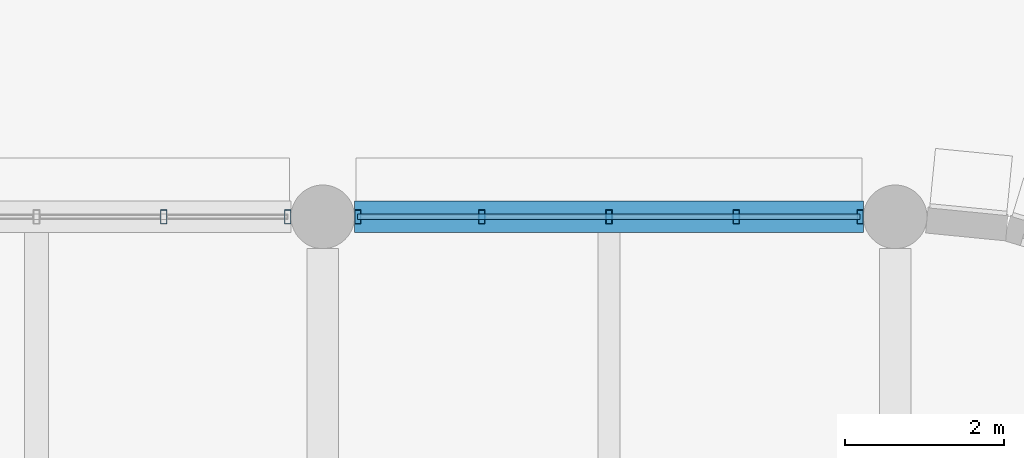
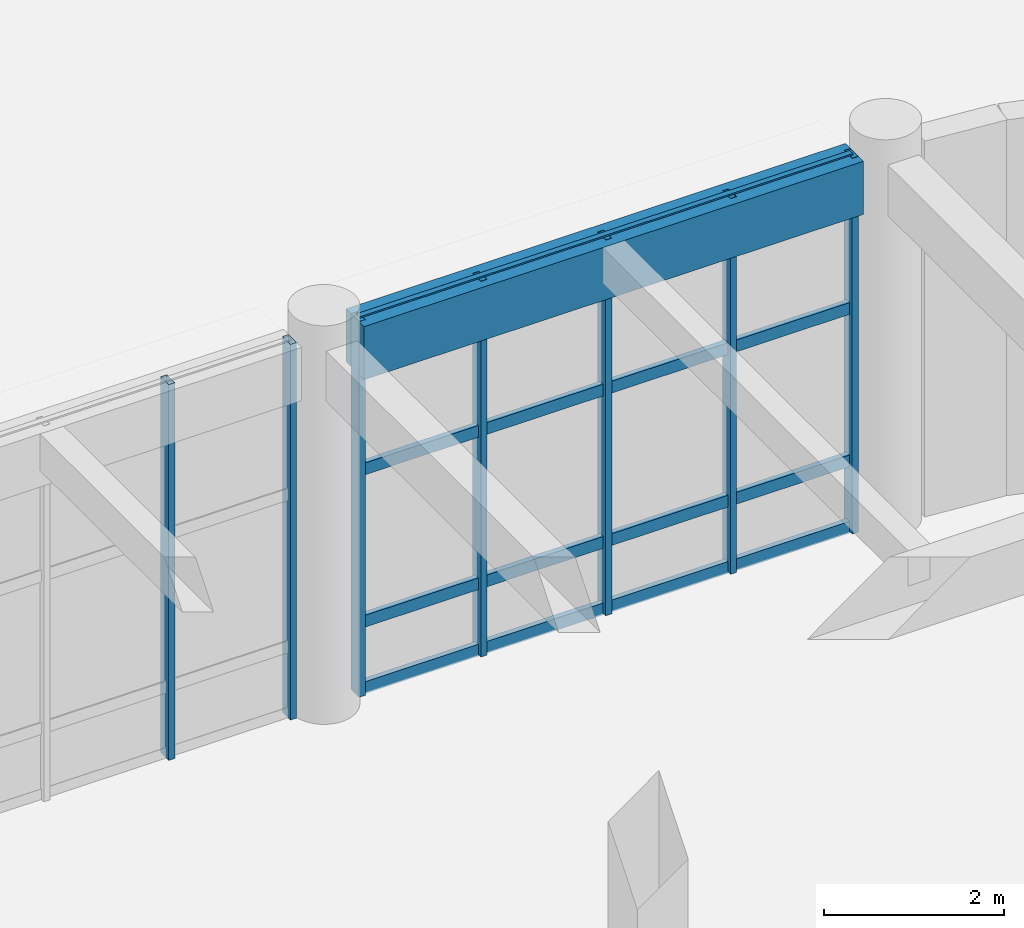
# One storey, part 72 of 160: 11 members, 1 beam, 2 elements without a shape of their own.
"""IFC4 building model written with IfcOpenShell, lengths in metres."""

from ifc_helpers import new_model, si_unit, direction, frame, origin, origin_2d, place, context, subcontext, project, spatial, rectangle, hollow_rectangle, extrude, material, material_profile, profile_set, type_object, element, aggregate, save


model = new_model("IFC4")

# Units and contexts
model_context = context("Model", 3, precision=1e-05, world=origin(), true_north=direction((0.0, 1.0)))
body_context = subcontext(model_context, "Body", "Model", "MODEL_VIEW")
ifc_project = project(units=[si_unit("LENGTHUNIT", "METRE"), si_unit("AREAUNIT", "SQUARE_METRE"), si_unit("VOLUMEUNIT", "CUBIC_METRE"), si_unit("PLANEANGLEUNIT", "RADIAN"), si_unit("MASSUNIT", "GRAM", prefix="KILO")], contexts=[model_context])

# Site, building, storey
site_placement = place(None, origin())
site = spatial("IfcSite", under=ifc_project, at=site_placement, CompositionType="ELEMENT")
building_placement = place(site_placement, origin())
building = spatial("IfcBuilding", under=site, at=building_placement, Name="Thalmaran Polytechnic", CompositionType="ELEMENT")
storey_placement = place(building_placement, origin())
storey = spatial("IfcBuildingStorey", under=building, at=storey_placement, Name="L00", CompositionType="ELEMENT", Elevation=0.0)

# Beam
ifc_material_1 = material(Name="Concrete C40/50", Category="concrete")
ifc_material_profile_1 = material_profile(ifc_material_1, rectangle(XDim=0.39990234375, YDim=0.719970703125, at=origin_2d()), Name="RC 400x720")
ifc_profile_set_1 = profile_set([ifc_material_profile_1], Name="Concrete C40/50")
beam_type = type_object("IfcBeamType", Name="BM-SP01", PredefinedType="SPANDREL", material=ifc_profile_set_1)
beam_placement = place(storey_placement, frame((79.60009765625, 72.0, 4.72998046875), z_axis=(1.0, 0.0, 0.0), x_axis=(0.0, 1.0, 0.0)))
element("IfcBeam", 1, at=beam_placement, inside=storey, type_object=beam_type, Name="Grid Beam SP01 L00 X(11,10)", PredefinedType="SPANDREL", context=body_context, shape_type="SweptSolid", body=[
    extrude(rectangle(XDim=0.39990234375, YDim=0.719970703125, at=origin_2d()), origin(), (0.0, 0.0, 1.0), 6.39990234375),
])

# Curtain wall, members
ifc_material_2 = material(Name="Aluminium 6063-T6", Category="aluminium")
curtain_wall_type = type_object("IfcCurtainWallType", Name="CW-SC01", PredefinedType="USERDEFINED", material=ifc_material_2)
curtain_wall_1_placement = place(storey_placement, origin())
curtain_wall_1 = element("IfcCurtainWall", 2, at=curtain_wall_1_placement, inside=storey, type_object=curtain_wall_type, Name="Curtain Wall CW-L00-033", ObjectType="STICK CURTAIN WALL", PredefinedType="USERDEFINED")
ifc_material_profile_2 = material_profile(ifc_material_2, hollow_rectangle(XDim=0.080078125, YDim=0.179931640625, WallThickness=0.0048828125, at=origin_2d()), Name="RHS 180x80x5.0")
ifc_profile_set_2 = profile_set([ifc_material_profile_2], Name="Aluminium 6063-T6")
member_type_1 = type_object("IfcMemberType", Name="CW-MUL1", PredefinedType="MULLION", material=ifc_profile_set_2)
member_1_placement = place(storey_placement, frame((77.199951171875, 72.0, 0.0), z_axis=(0.0, 0.0, 1.0), x_axis=(1.0, 0.0, 0.0)))
member_1 = element("IfcMember", 3, at=member_1_placement, type_object=member_type_1, Name="CW-L00-033 Mullion 4", PredefinedType="MULLION", context=body_context, shape_type="SweptSolid", body=[
    extrude(hollow_rectangle(XDim=0.080078125, YDim=0.179931640625, WallThickness=0.0048828125, at=origin_2d()), origin(), (0.0, 0.0, 1.0), 5.090087890625),
])
member_2_placement = place(storey_placement, frame((78.760009765625, 72.0, 0.0), z_axis=(0.0, 0.0, 1.0), x_axis=(1.0, 0.0, 0.0)))
member_2 = element("IfcMember", 4, at=member_2_placement, type_object=member_type_1, Name="CW-L00-033 Mullion 5", PredefinedType="MULLION", context=body_context, shape_type="SweptSolid", body=[
    extrude(hollow_rectangle(XDim=0.080078125, YDim=0.179931640625, WallThickness=0.0048828125, at=origin_2d()), origin(), (0.0, 0.0, 1.0), 5.090087890625),
])
aggregate(curtain_wall_1, [member_1, member_2])

curtain_wall_2_placement = place(storey_placement, origin())
curtain_wall_2 = element("IfcCurtainWall", 5, at=curtain_wall_2_placement, inside=storey, type_object=curtain_wall_type, Name="Curtain Wall CW-L00-034", ObjectType="STICK CURTAIN WALL", PredefinedType="USERDEFINED")
member_3_placement = place(storey_placement, frame((79.639892578125, 72.0, 0.0), z_axis=(0.0, 0.0, 1.0), x_axis=(1.0, 0.0, 0.0)))
member_3 = element("IfcMember", 6, at=member_3_placement, type_object=member_type_1, Name="CW-L00-034 Mullion 1", PredefinedType="MULLION", context=body_context, shape_type="SweptSolid", body=[
    extrude(hollow_rectangle(XDim=0.080078125, YDim=0.179931640625, WallThickness=0.0048828125, at=origin_2d()), origin(), (0.0, 0.0, 1.0), 5.090087890625),
])
member_4_placement = place(storey_placement, frame((81.199951171875, 72.0, 0.0), z_axis=(0.0, 0.0, 1.0), x_axis=(1.0, 0.0, 0.0)))
member_4 = element("IfcMember", 7, at=member_4_placement, type_object=member_type_1, Name="CW-L00-034 Mullion 2", PredefinedType="MULLION", context=body_context, shape_type="SweptSolid", body=[
    extrude(hollow_rectangle(XDim=0.080078125, YDim=0.179931640625, WallThickness=0.0048828125, at=origin_2d()), origin(), (0.0, 0.0, 1.0), 5.090087890625),
])
member_5_placement = place(storey_placement, frame((82.800048828125, 72.0, 0.0), z_axis=(0.0, 0.0, 1.0), x_axis=(1.0, 0.0, 0.0)))
member_5 = element("IfcMember", 8, at=member_5_placement, type_object=member_type_1, Name="CW-L00-034 Mullion 3", PredefinedType="MULLION", context=body_context, shape_type="SweptSolid", body=[
    extrude(hollow_rectangle(XDim=0.080078125, YDim=0.179931640625, WallThickness=0.0048828125, at=origin_2d()), origin(), (0.0, 0.0, 1.0), 5.090087890625),
])
member_6_placement = place(storey_placement, frame((84.39990234375, 72.0, 0.0), z_axis=(0.0, 0.0, 1.0), x_axis=(1.0, 0.0, 0.0)))
member_6 = element("IfcMember", 9, at=member_6_placement, type_object=member_type_1, Name="CW-L00-034 Mullion 4", PredefinedType="MULLION", context=body_context, shape_type="SweptSolid", body=[
    extrude(hollow_rectangle(XDim=0.080078125, YDim=0.179931640625, WallThickness=0.0048828125, at=origin_2d()), origin(), (0.0, 0.0, 1.0), 5.090087890625),
])
member_7_placement = place(storey_placement, frame((85.9599609375, 72.0, 0.0), z_axis=(0.0, 0.0, 1.0), x_axis=(1.0, 0.0, 0.0)))
member_7 = element("IfcMember", 10, at=member_7_placement, type_object=member_type_1, Name="CW-L00-034 Mullion 5", PredefinedType="MULLION", context=body_context, shape_type="SweptSolid", body=[
    extrude(hollow_rectangle(XDim=0.080078125, YDim=0.179931640625, WallThickness=0.0048828125, at=origin_2d()), origin(), (0.0, 0.0, 1.0), 5.090087890625),
])
ifc_material_profile_3 = material_profile(ifc_material_2, hollow_rectangle(XDim=0.070068359375, YDim=0.159912109375, WallThickness=0.00390625, at=origin_2d()), Name="AL 160x70x4.0")
ifc_profile_set_3 = profile_set([ifc_material_profile_3], Name="Aluminium 6063-T6")
member_type_2 = type_object("IfcMemberType", Name="CW-TRN1", PredefinedType="USERDEFINED", material=ifc_profile_set_3)
member_8_placement = place(storey_placement, frame((79.639892578125, 72.0, 0.06005859375), z_axis=(1.0, 0.0, 0.0), x_axis=(0.0, 1.0, 0.0)))
member_8 = element("IfcMember", 11, at=member_8_placement, type_object=member_type_2, Name="CW-L00-034 Transom 1", ObjectType="TRANSOM", PredefinedType="USERDEFINED", context=body_context, shape_type="SweptSolid", body=[
    extrude(hollow_rectangle(XDim=0.070068359375, YDim=0.159912109375, WallThickness=0.00390625, at=origin_2d()), origin(), (0.0, 0.0, 1.0), 6.320068359375),
])
member_9_placement = place(storey_placement, frame((79.639892578125, 72.0, 0.9599609375), z_axis=(1.0, 0.0, 0.0), x_axis=(0.0, 1.0, 0.0)))
member_9 = element("IfcMember", 12, at=member_9_placement, type_object=member_type_2, Name="CW-L00-034 Transom 2", ObjectType="TRANSOM", PredefinedType="USERDEFINED", context=body_context, shape_type="SweptSolid", body=[
    extrude(hollow_rectangle(XDim=0.070068359375, YDim=0.159912109375, WallThickness=0.00390625, at=origin_2d()), origin(), (0.0, 0.0, 1.0), 6.320068359375),
])
member_10_placement = place(storey_placement, frame((79.639892578125, 72.0, 3.02490234375), z_axis=(1.0, 0.0, 0.0), x_axis=(0.0, 1.0, 0.0)))
member_10 = element("IfcMember", 13, at=member_10_placement, type_object=member_type_2, Name="CW-L00-034 Transom 3", ObjectType="TRANSOM", PredefinedType="USERDEFINED", context=body_context, shape_type="SweptSolid", body=[
    extrude(hollow_rectangle(XDim=0.070068359375, YDim=0.159912109375, WallThickness=0.00390625, at=origin_2d()), origin(), (0.0, 0.0, 1.0), 6.320068359375),
])
member_11_placement = place(storey_placement, frame((79.639892578125, 72.0, 5.030029296875), z_axis=(1.0, 0.0, 0.0), x_axis=(0.0, 1.0, 0.0)))
member_11 = element("IfcMember", 14, at=member_11_placement, type_object=member_type_2, Name="CW-L00-034 Transom 4", ObjectType="TRANSOM", PredefinedType="USERDEFINED", context=body_context, shape_type="SweptSolid", body=[
    extrude(hollow_rectangle(XDim=0.070068359375, YDim=0.159912109375, WallThickness=0.00390625, at=origin_2d()), origin(), (0.0, 0.0, 1.0), 6.320068359375),
])
aggregate(curtain_wall_2, [member_3, member_4, member_5, member_6, member_7, member_8, member_9, member_10, member_11])

save(model, "model.ifc")
